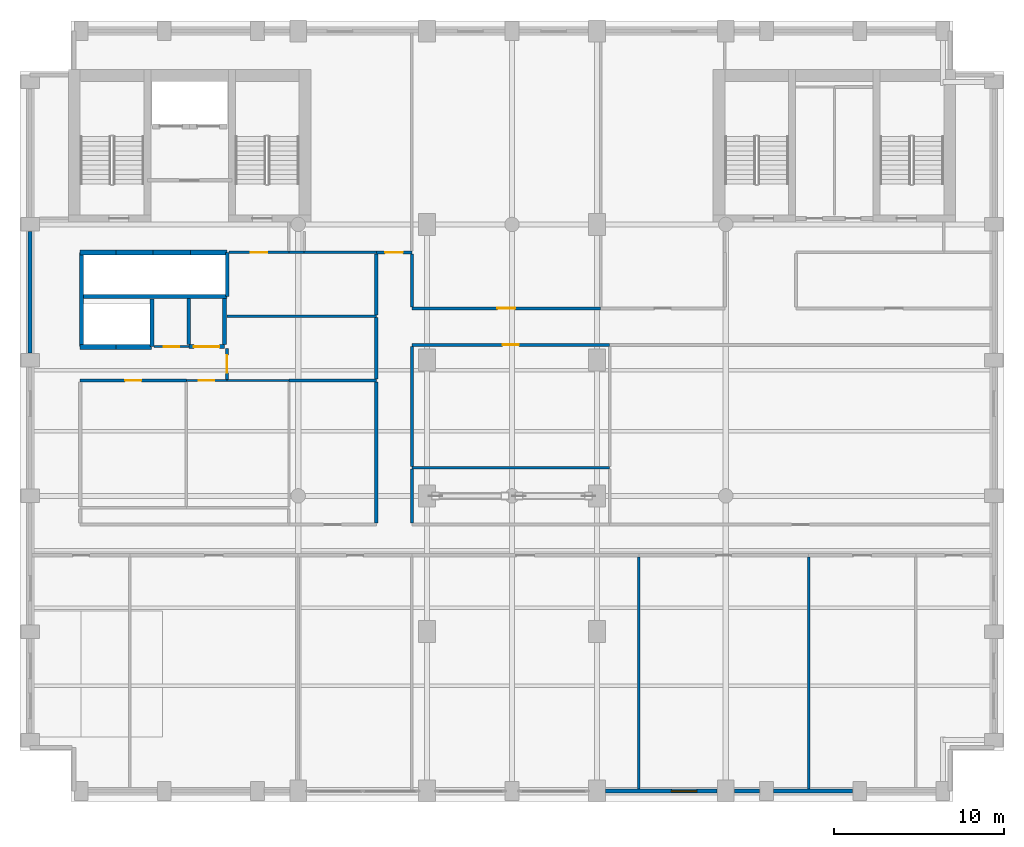
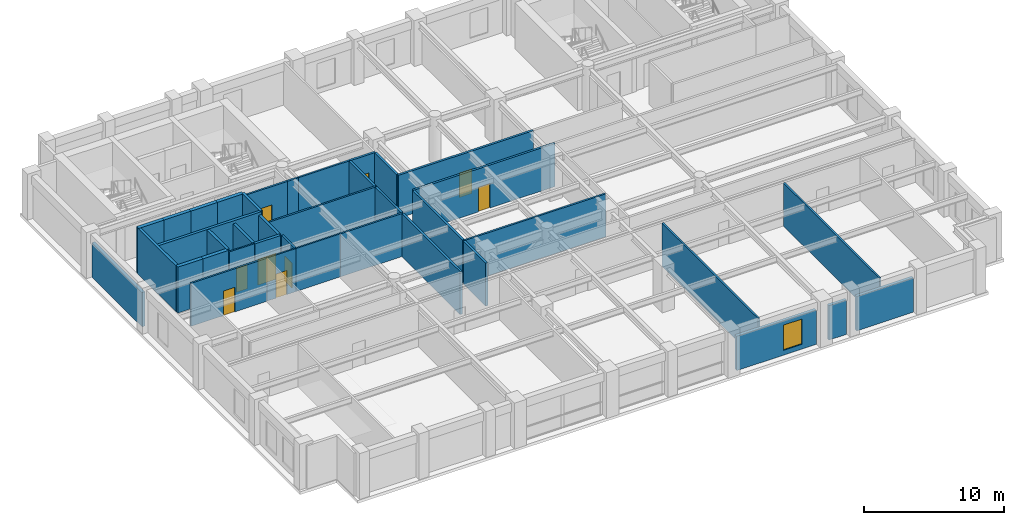
# One storey, part 7 of 13: 39 walls, 9 doors, 1 window, 10 openings.
"""IFC4 building model written with IfcOpenShell, lengths in metres."""

from ifc_helpers import new_model, si_unit, direction, frame, frame_2d, origin, place, context, subcontext, project, spatial, rectangle, extrude, material, layer, layer_set, type_object, element, fill, save


model = new_model("IFC4")

# Units and contexts
model_context = context("Model", 3, precision=1e-05, world=origin(), true_north=direction((0.0, 1.0)))
body_context = subcontext(model_context, "Body", "Model", "MODEL_VIEW")
ifc_project = project(units=[si_unit("LENGTHUNIT", "METRE"), si_unit("AREAUNIT", "SQUARE_METRE"), si_unit("VOLUMEUNIT", "CUBIC_METRE"), si_unit("PLANEANGLEUNIT", "RADIAN"), si_unit("MASSUNIT", "GRAM", prefix="KILO")], contexts=[model_context])

# Site, building, storey
site_placement = place(None, origin())
site = spatial("IfcSite", under=ifc_project, at=site_placement, CompositionType="ELEMENT")
building_placement = place(site_placement, origin())
building = spatial("IfcBuilding", under=site, at=building_placement, Name="Sulina Concourse Tower", CompositionType="ELEMENT")
storey_placement = place(building_placement, frame((0.0, 0.0, 202.60009765625)))
storey = spatial("IfcBuildingStorey", under=building, at=storey_placement, Name="L49", CompositionType="ELEMENT", Elevation=202.60009765625)

# Walls
ifc_material_1 = material(Name="Concrete C50/60", Category="concrete")
ifc_layer_1 = layer(ifc_material_1, 0.219970703125)
ifc_layer_set_1 = layer_set([ifc_layer_1], Name="Concrete C50/60")
wall_type_1 = type_object("IfcWallType", Name="Core Lift Hoistway Divider Wall 220mm", PredefinedType="SOLIDWALL", material=ifc_layer_set_1)
wall_1_placement = place(storey_placement, frame((3.550048828125, 29.75, 0.0), z_axis=(0.0, 0.0, 1.0), x_axis=(1.0, 0.0, 0.0)))
element("IfcWall", 1, at=wall_1_placement, inside=storey, type_object=wall_type_1, Name="L49 shaft divider wall HW-LP3-S", PredefinedType="SOLIDWALL", context=body_context, shape_type="SweptSolid", body=[
    extrude(rectangle(XDim=8.64990234375, YDim=0.219970703125, at=frame_2d((4.324951171875, 0.0))), origin(), (0.0, 0.0, 1.0), 4.0),
])
wall_2_placement = place(storey_placement, frame((3.6298828125, 26.800048828125, 0.0), z_axis=(0.0, 0.0, 1.0), x_axis=(0.0, 1.0, 0.0)))
element("IfcWall", 2, at=wall_2_placement, inside=storey, type_object=wall_type_1, Name="L49 shaft divider wall HW-LP3-W", PredefinedType="SOLIDWALL", context=body_context, shape_type="SweptSolid", body=[
    extrude(rectangle(XDim=5.550048828125, YDim=0.219970703125, at=frame_2d((2.77490234375, 0.0))), origin(), (0.0, 0.0, 1.0), 4.0),
])
wall_3_placement = place(storey_placement, frame((7.780029296875, 26.800048828125, 0.0), z_axis=(0.0, 0.0, 1.0), x_axis=(0.0, 1.0, 0.0)))
element("IfcWall", 3, at=wall_3_placement, inside=storey, type_object=wall_type_1, Name="L49 shaft divider wall HW-EXP-E", PredefinedType="SOLIDWALL", context=body_context, shape_type="SweptSolid", body=[
    extrude(rectangle(XDim=2.800048828125, YDim=0.219970703125, at=frame_2d((1.39990234375, 0.0))), origin(), (0.0, 0.0, 1.0), 4.0),
])
wall_4_placement = place(storey_placement, frame((12.219970703125, 29.75, 0.0), z_axis=(0.0, 0.0, 1.0), x_axis=(0.0, 1.0, 0.0)))
element("IfcWall", 4, at=wall_4_placement, inside=storey, type_object=wall_type_1, Name="L49 shaft divider wall HW-LP3-E", PredefinedType="SOLIDWALL", context=body_context, shape_type="SweptSolid", body=[
    extrude(rectangle(XDim=2.60009765625, YDim=0.219970703125, at=frame_2d((1.300048828125, 0.0))), origin(), (0.0, 0.0, 1.0), 4.0),
])
ifc_material_2 = material(Name="Concrete C50/60", Category="concrete")
ifc_layer_2 = layer(ifc_material_2, 0.300048828125)
ifc_layer_set_2 = layer_set([ifc_layer_2], Name="Concrete C50/60")
wall_type_2 = type_object("IfcWallType", Name="Core Lift Hoistway Wall 300mm", PredefinedType="SOLIDWALL", material=ifc_layer_set_2)
wall_5_placement = place(storey_placement, frame((3.550048828125, 32.35009765625, 0.0), z_axis=(0.0, 0.0, 1.0), x_axis=(1.0, 0.0, 0.0)))
element("IfcWall", 5, at=wall_5_placement, inside=storey, type_object=wall_type_2, Name="L49 hoistway enclosure wall LP-09", PredefinedType="SOLIDWALL", context=body_context, shape_type="SweptSolid", body=[
    extrude(rectangle(XDim=2.099853515625, YDim=0.300048828125, at=frame_2d((1.0498046875, 0.0))), origin(), (0.0, 0.0, 1.0), 4.0),
])
wall_6_placement = place(storey_placement, frame((5.64990234375, 32.35009765625, 0.0), z_axis=(0.0, 0.0, 1.0), x_axis=(1.0, 0.0, 0.0)))
element("IfcWall", 6, at=wall_6_placement, inside=storey, type_object=wall_type_2, Name="L49 hoistway enclosure wall LP-10", PredefinedType="SOLIDWALL", context=body_context, shape_type="SweptSolid", body=[
    extrude(rectangle(XDim=2.2001953125, YDim=0.300048828125, at=frame_2d((1.10009765625, 0.0))), origin(), (0.0, 0.0, 1.0), 4.0),
])
wall_7_placement = place(storey_placement, frame((7.85009765625, 32.35009765625, 0.0), z_axis=(0.0, 0.0, 1.0), x_axis=(1.0, 0.0, 0.0)))
element("IfcWall", 7, at=wall_7_placement, inside=storey, type_object=wall_type_2, Name="L49 hoistway enclosure wall LP-11", PredefinedType="SOLIDWALL", context=body_context, shape_type="SweptSolid", body=[
    extrude(rectangle(XDim=2.199951171875, YDim=0.300048828125, at=frame_2d((1.10009765625, 0.0))), origin(), (0.0, 0.0, 1.0), 4.0),
])
wall_8_placement = place(storey_placement, frame((10.050048828125, 32.35009765625, 0.0), z_axis=(0.0, 0.0, 1.0), x_axis=(1.0, 0.0, 0.0)))
element("IfcWall", 8, at=wall_8_placement, inside=storey, type_object=wall_type_2, Name="L49 hoistway enclosure wall LP-12", PredefinedType="SOLIDWALL", context=body_context, shape_type="SweptSolid", body=[
    extrude(rectangle(XDim=2.14990234375, YDim=0.300048828125, at=frame_2d((1.074951171875, 0.0))), origin(), (0.0, 0.0, 1.0), 4.0),
])
wall_9_placement = place(storey_placement, frame((5.64990234375, 26.780029296875, 0.0), z_axis=(0.0, 0.0, 1.0), x_axis=(-1.0, 0.0, 0.0)))
element("IfcWall", 9, at=wall_9_placement, inside=storey, type_object=wall_type_2, Name="L49 hoistway enclosure wall EXP-1", PredefinedType="SOLIDWALL", context=body_context, shape_type="SweptSolid", body=[
    extrude(rectangle(XDim=2.099853515625, YDim=0.300048828125, at=frame_2d((1.0498046875, 0.0))), origin(), (0.0, 0.0, 1.0), 4.0),
])
wall_10_placement = place(storey_placement, frame((7.75, 26.780029296875, 0.0), z_axis=(0.0, 0.0, 1.0), x_axis=(-1.0, 0.0, 0.0)))
element("IfcWall", 10, at=wall_10_placement, inside=storey, type_object=wall_type_2, Name="L49 hoistway enclosure wall EXP-2", PredefinedType="SOLIDWALL", context=body_context, shape_type="SweptSolid", body=[
    extrude(rectangle(XDim=2.10009765625, YDim=0.300048828125, at=frame_2d((1.050048828125, 0.0))), origin(), (0.0, 0.0, 1.0), 4.0),
])

# Wall, opening, window
ifc_material_3 = material(Name="Precast concrete C50/60", Category="concrete")
ifc_layer_3 = layer(ifc_material_3, 0.239990234375)
ifc_layer_set_3 = layer_set([ifc_layer_3], Name="Precast concrete C50/60")
wall_type_3 = type_object("IfcWallType", Name="Crown Precast Masonry-Frame Facade Wall 240mm", PredefinedType="SOLIDWALL", material=ifc_layer_set_3)
wall_11_placement = place(storey_placement, frame((41.080078125, 0.60009765625, 0.0), z_axis=(0.0, 0.0, 1.0), x_axis=(-1.0, 0.0, 0.0)))
wall_11 = element("IfcWall", 11, at=wall_11_placement, inside=storey, type_object=wall_type_3, Name="L49 exterior precast wall S7", PredefinedType="SOLIDWALL", context=body_context, shape_type="SweptSolid", body=[
    extrude(rectangle(XDim=6.56005859375, YDim=0.239990234375, at=frame_2d((3.280029296875, 0.0))), origin(), (0.0, 0.0, 1.0), 3.0),
])
opening_1_placement = place(wall_11_placement, frame((1.186767578125, 0.0, 0.419921875)))
opening_1 = element("IfcOpeningElement", 12, at=opening_1_placement, cuts=wall_11, Name="Opening WN-71", PredefinedType="OPENING", context=body_context, shape_type="SweptSolid", body=[
    extrude(rectangle(XDim=1.5, YDim=2.199951171875, at=frame_2d((0.75, 1.10009765625))), frame((0.0, 0.1298828125, 0.0), z_axis=(0.0, -1.0, 0.0), x_axis=(1.0, 0.0, 0.0)), (0.0, 0.0, 1.0), 0.260009765625),
])
ifc_material_4 = material(Name="Low-E solar double glazing in bronze aluminium", Category="aluminium")
window_type = type_object("IfcWindowType", Name="Punched Masonry-Frame Window 1500x2200", PartitioningType="SINGLE_PANEL", PredefinedType="WINDOW", material=ifc_material_4)
window_placement = place(opening_1_placement, origin())
window = element("IfcWindow", 13, at=window_placement, inside=storey, type_object=window_type, Name="L49 punched window S7-1", OverallHeight=2.199951171875, OverallWidth=1.5, PartitioningType="SINGLE_PANEL", PredefinedType="WINDOW", context=body_context, shape_type="SweptSolid", body=[
    extrude(rectangle(XDim=1.5, YDim=2.199951171875, at=frame_2d((0.75, 1.10009765625))), frame((0.0, 0.030029296875, 0.0), z_axis=(0.0, -1.0, 0.0), x_axis=(1.0, 0.0, 0.0)), (0.0, 0.0, 1.0), 0.06005859375),
])
fill(opening_1, window)

# Walls
wall_12_placement = place(storey_placement, frame((43.580078125, 0.60009765625, 0.0), z_axis=(0.0, 0.0, 1.0), x_axis=(-1.0, 0.0, 0.0)))
element("IfcWall", 14, at=wall_12_placement, inside=storey, type_object=wall_type_3, Name="L49 exterior precast wall S8", PredefinedType="SOLIDWALL", context=body_context, shape_type="SweptSolid", body=[
    extrude(rectangle(XDim=1.4599609375, YDim=0.239990234375, at=frame_2d((0.72998046875, 0.0))), origin(), (0.0, 0.0, 1.0), 3.0),
])
wall_13_placement = place(storey_placement, frame((49.080078125, 0.60009765625, 0.0), z_axis=(0.0, 0.0, 1.0), x_axis=(-1.0, 0.0, 0.0)))
element("IfcWall", 15, at=wall_13_placement, inside=storey, type_object=wall_type_3, Name="L49 exterior precast wall S9", PredefinedType="SOLIDWALL", context=body_context, shape_type="SweptSolid", body=[
    extrude(rectangle(XDim=4.66015625, YDim=0.239990234375, at=frame_2d((2.330078125, 0.0))), origin(), (0.0, 0.0, 1.0), 3.0),
])
wall_14_placement = place(storey_placement, frame((0.60009765625, 26.419921875, 0.0), z_axis=(0.0, 0.0, 1.0), x_axis=(0.0, 1.0, 0.0)))
element("IfcWall", 16, at=wall_14_placement, inside=storey, type_object=wall_type_3, Name="L49 exterior precast wall W4", PredefinedType="SOLIDWALL", context=body_context, shape_type="SweptSolid", body=[
    extrude(rectangle(XDim=7.16015625, YDim=0.239990234375, at=frame_2d((3.580078125, 0.0))), origin(), (0.0, 0.0, 1.0), 3.0),
])

# Wall, opening, door
ifc_material_5 = material(Name="Gypsum board on steel stud", Category="steel")
ifc_layer_4 = layer(ifc_material_5, 0.219970703125)
ifc_layer_set_4 = layer_set([ifc_layer_4], Name="Gypsum board on steel stud")
wall_type_4 = type_object("IfcWallType", Name="Fire-Rated Lobby & Compartment Wall 220mm", PredefinedType="PARTITIONING", material=ifc_layer_set_4)
wall_15_placement = place(storey_placement, frame((9.949951171875, 26.800048828125, 0.0), z_axis=(0.0, 0.0, 1.0), x_axis=(1.0, 0.0, 0.0)))
wall_15 = element("IfcWall", 17, at=wall_15_placement, inside=storey, type_object=wall_type_4, Name="L49 interior partition 020", PredefinedType="PARTITIONING", context=body_context, shape_type="SweptSolid", body=[
    extrude(rectangle(XDim=2.10009765625, YDim=0.219970703125, at=frame_2d((1.050048828125, 0.0))), origin(), (0.0, 0.0, 1.0), 3.75),
])
opening_2_placement = place(wall_15_placement, frame((0.300048828125, 0.0, 0.0)))
opening_2 = element("IfcOpeningElement", 18, at=opening_2_placement, cuts=wall_15, Name="Opening DR-80", PredefinedType="OPENING", context=body_context, shape_type="SweptSolid", body=[
    extrude(rectangle(XDim=1.5, YDim=2.25, at=frame_2d((0.75, 1.125))), frame((0.0, 0.119873046875, 0.0), z_axis=(0.0, -1.0, 0.0), x_axis=(1.0, 0.0, 0.0)), (0.0, 0.0, 1.0), 0.239990234375),
])
ifc_material_6 = material(Name="Galvanised steel acoustic fire leaf", Category="steel")
ifc_layer_5 = layer(ifc_material_6, 0.054931640625)
ifc_layer_set_5 = layer_set([ifc_layer_5], Name="Galvanised steel acoustic fire leaf")
door_type_1 = type_object("IfcDoorType", Name="Mechanical Plant Double Fire Door 1500x2250", OperationType="DOUBLE_DOOR_SINGLE_SWING", PredefinedType="DOOR", material=ifc_layer_set_5)
door_1_placement = place(opening_2_placement, origin())
door_1 = element("IfcDoor", 19, at=door_1_placement, inside=storey, type_object=door_type_1, Name="L49 interior door L49-IT-IDF", OperationType="DOUBLE_DOOR_SINGLE_SWING", OverallHeight=2.25, OverallWidth=1.5, PredefinedType="DOOR", context=body_context, shape_type="SweptSolid", body=[
    extrude(rectangle(XDim=1.5, YDim=2.25, at=frame_2d((0.75, 1.125))), frame((0.0, 0.02490234375, 0.0), z_axis=(0.0, -1.0, 0.0), x_axis=(1.0, 0.0, 0.0)), (0.0, 0.0, 1.0), 0.050048828125),
])
fill(opening_2, door_1)

# Walls
for number, where, z_axis, x_axis, name in (
    (20, (9.949951171875, 26.909912109375, 0.0), (0.0, 0.0, 1.0), (0.0, 1.0, 0.0), "L49 interior partition 040"),
    (21, (12.050048828125, 26.909912109375, 0.0), (0.0, 0.0, 1.0), (0.0, 1.0, 0.0), "L49 interior partition 041"),
):
    element("IfcWall", number, at=place(storey_placement, frame(where, z_axis=z_axis, x_axis=x_axis)), inside=storey, type_object=wall_type_4, Name=name, PredefinedType="PARTITIONING", context=body_context, shape_type="SweptSolid", body=[
        extrude(rectangle(XDim=2.72998046875, YDim=0.219970703125, at=frame_2d((1.364990234375, 0.0))), origin(), (0.0, 0.0, 1.0), 3.75),
    ])
ifc_material_7 = material(Name="Gypsum board on steel stud", Category="steel")
ifc_layer_6 = layer(ifc_material_7, 0.14990234375)
ifc_layer_set_6 = layer_set([ifc_layer_6], Name="Gypsum board on steel stud")
wall_type_5 = type_object("IfcWallType", Name="Inter-Tenancy Acoustic Partition 150mm", PredefinedType="PARTITIONING", material=ifc_layer_set_6)
wall_16_placement = place(storey_placement, frame((23.10009765625, 19.64990234375, 0.0), z_axis=(0.0, 0.0, 1.0), x_axis=(1.0, 0.0, 0.0)))
element("IfcWall", 22, at=wall_16_placement, inside=storey, type_object=wall_type_5, Name="L49 interior partition 014", PredefinedType="PARTITIONING", context=body_context, shape_type="SweptSolid", body=[
    extrude(rectangle(XDim=11.64990234375, YDim=0.14990234375, at=frame_2d((5.824951171875, 0.0))), origin(), (0.0, 0.0, 1.0), 3.75),
])

# Wall, opening, door
wall_17_placement = place(storey_placement, frame((3.550048828125, 24.800048828125, 0.0), z_axis=(0.0, 0.0, 1.0), x_axis=(1.0, 0.0, 0.0)))
wall_17 = element("IfcWall", 23, at=wall_17_placement, inside=storey, type_object=wall_type_5, Name="L49 interior partition 015", PredefinedType="PARTITIONING", context=body_context, shape_type="SweptSolid", body=[
    extrude(rectangle(XDim=6.25, YDim=0.14990234375, at=frame_2d((3.125, 0.0))), origin(), (0.0, 0.0, 1.0), 3.75),
])
opening_3_placement = place(wall_17_placement, frame((2.64990234375, 0.0, 0.0)))
opening_3 = element("IfcOpeningElement", 24, at=opening_3_placement, cuts=wall_17, Name="Opening DR-19", PredefinedType="OPENING", context=body_context, shape_type="SweptSolid", body=[
    extrude(rectangle(XDim=0.949951171875, YDim=2.14990234375, at=frame_2d((0.47509765625, 1.074951171875))), frame((0.0, 0.0849609375, 0.0), z_axis=(0.0, -1.0, 0.0), x_axis=(1.0, 0.0, 0.0)), (0.0, 0.0, 1.0), 0.169921875),
])
ifc_material_8 = material(Name="Oak-veneered acoustic timber leaf", Category="wood")
ifc_layer_7 = layer(ifc_material_8, 0.050048828125)
ifc_layer_set_7 = layer_set([ifc_layer_7], Name="Oak-veneered acoustic timber leaf")
door_type_2 = type_object("IfcDoorType", Name="Cellular Office & Meeting Door 950x2150", OperationType="NOTDEFINED", PredefinedType="DOOR", material=ifc_layer_set_7)
door_2_placement = place(opening_3_placement, origin())
door_2 = element("IfcDoor", 25, at=door_2_placement, inside=storey, type_object=door_type_2, Name="L49 interior door L49-LR-MRG1", OperationType="SINGLE_SWING_LEFT", OverallHeight=2.14990234375, OverallWidth=0.949951171875, PredefinedType="DOOR", context=body_context, shape_type="SweptSolid", body=[
    extrude(rectangle(XDim=0.949951171875, YDim=2.14990234375, at=frame_2d((0.47509765625, 1.074951171875))), frame((0.0, 0.02490234375, 0.0), z_axis=(0.0, -1.0, 0.0), x_axis=(1.0, 0.0, 0.0)), (0.0, 0.0, 1.0), 0.050048828125),
])
fill(opening_3, door_2)

# Walls
wall_18_placement = place(storey_placement, frame((15.85009765625, 24.800048828125, 0.0), z_axis=(0.0, 0.0, 1.0), x_axis=(1.0, 0.0, 0.0)))
element("IfcWall", 26, at=wall_18_placement, inside=storey, type_object=wall_type_5, Name="L49 interior partition 018", PredefinedType="PARTITIONING", context=body_context, shape_type="SweptSolid", body=[
    extrude(rectangle(XDim=5.14990234375, YDim=0.14990234375, at=frame_2d((2.574951171875, 0.0))), origin(), (0.0, 0.0, 1.0), 3.75),
])
wall_19_placement = place(storey_placement, frame((12.199951171875, 28.60009765625, 0.0), z_axis=(0.0, 0.0, 1.0), x_axis=(1.0, 0.0, 0.0)))
element("IfcWall", 27, at=wall_19_placement, inside=storey, type_object=wall_type_5, Name="L49 interior partition 023", PredefinedType="PARTITIONING", context=body_context, shape_type="SweptSolid", body=[
    extrude(rectangle(XDim=8.800048828125, YDim=0.14990234375, at=frame_2d((4.39990234375, 0.0))), origin(), (0.0, 0.0, 1.0), 3.75),
])

# Wall, opening, door
wall_20_placement = place(storey_placement, frame((12.330078125, 32.35009765625, 0.0), z_axis=(0.0, 0.0, 1.0), x_axis=(1.0, 0.0, 0.0)))
wall_20 = element("IfcWall", 28, at=wall_20_placement, inside=storey, type_object=wall_type_5, Name="L49 interior partition 027", PredefinedType="PARTITIONING", context=body_context, shape_type="SweptSolid", body=[
    extrude(rectangle(XDim=3.52001953125, YDim=0.14990234375, at=frame_2d((1.760009765625, 0.0))), origin(), (0.0, 0.0, 1.0), 3.75),
])
opening_4_placement = place(wall_20_placement, frame((1.284912109375, 0.0, 0.0)))
opening_4 = element("IfcOpeningElement", 29, at=opening_4_placement, cuts=wall_20, Name="Opening DR-19", PredefinedType="OPENING", context=body_context, shape_type="SweptSolid", body=[
    extrude(rectangle(XDim=0.949951171875, YDim=2.14990234375, at=frame_2d((0.47509765625, 1.074951171875))), frame((0.0, 0.0849609375, 0.0), z_axis=(0.0, -1.0, 0.0), x_axis=(1.0, 0.0, 0.0)), (0.0, 0.0, 1.0), 0.169921875),
])
door_3_placement = place(opening_4_placement, origin())
door_3 = element("IfcDoor", 30, at=door_3_placement, inside=storey, type_object=door_type_2, Name="L49 interior door L49-MR-MRG2", OperationType="SINGLE_SWING_RIGHT", OverallHeight=2.14990234375, OverallWidth=0.949951171875, PredefinedType="DOOR", context=body_context, shape_type="SweptSolid", body=[
    extrude(rectangle(XDim=0.949951171875, YDim=2.14990234375, at=frame_2d((0.47509765625, 1.074951171875))), frame((0.0, 0.02490234375, 0.0), z_axis=(0.0, -1.0, 0.0), x_axis=(1.0, 0.0, 0.0)), (0.0, 0.0, 1.0), 0.050048828125),
])
fill(opening_4, door_3)

# Walls
wall_21_placement = place(storey_placement, frame((15.85009765625, 32.35009765625, 0.0), z_axis=(0.0, 0.0, 1.0), x_axis=(1.0, 0.0, 0.0)))
element("IfcWall", 31, at=wall_21_placement, inside=storey, type_object=wall_type_5, Name="L49 interior partition 028", PredefinedType="PARTITIONING", context=body_context, shape_type="SweptSolid", body=[
    extrude(rectangle(XDim=0.89990234375, YDim=0.14990234375, at=frame_2d((0.449951171875, 0.0))), origin(), (0.0, 0.0, 1.0), 3.75),
])
wall_22_placement = place(storey_placement, frame((16.75, 32.35009765625, 0.0), z_axis=(0.0, 0.0, 1.0), x_axis=(1.0, 0.0, 0.0)))
element("IfcWall", 32, at=wall_22_placement, inside=storey, type_object=wall_type_5, Name="L49 interior partition 029", PredefinedType="PARTITIONING", context=body_context, shape_type="SweptSolid", body=[
    extrude(rectangle(XDim=4.25, YDim=0.14990234375, at=frame_2d((2.125, 0.0))), origin(), (0.0, 0.0, 1.0), 3.75),
])

# Wall, opening, door
wall_23_placement = place(storey_placement, frame((12.199951171875, 24.862548828125, 0.0), z_axis=(0.0, 0.0, 1.0), x_axis=(0.0, 1.0, 0.0)))
wall_23 = element("IfcWall", 33, at=wall_23_placement, inside=storey, type_object=wall_type_5, Name="L49 interior partition 042", PredefinedType="PARTITIONING", context=body_context, shape_type="SweptSolid", body=[
    extrude(rectangle(XDim=1.827392578125, YDim=0.14990234375, at=frame_2d((0.91357421875, 0.0))), origin(), (0.0, 0.0, 1.0), 3.75),
])
opening_5_placement = place(wall_23_placement, frame((0.388916015625, 0.0, 0.0)))
opening_5 = element("IfcOpeningElement", 34, at=opening_5_placement, cuts=wall_23, Name="Opening DR-37", PredefinedType="OPENING", context=body_context, shape_type="SweptSolid", body=[
    extrude(rectangle(XDim=1.050048828125, YDim=2.14990234375, at=frame_2d((0.52490234375, 1.074951171875))), frame((0.0, 0.0849609375, 0.0), z_axis=(0.0, -1.0, 0.0), x_axis=(1.0, 0.0, 0.0)), (0.0, 0.0, 1.0), 0.169921875),
])
ifc_material_9 = material(Name="Oak-veneered fire door leaf")
ifc_layer_8 = layer(ifc_material_9, 0.050048828125)
ifc_layer_set_8 = layer_set([ifc_layer_8], Name="Oak-veneered fire door leaf")
door_type_3 = type_object("IfcDoorType", Name="Tenant Suite Entrance Fire Door 1050x2150", OperationType="NOTDEFINED", PredefinedType="DOOR", material=ifc_layer_set_8)
door_4_placement = place(opening_5_placement, origin())
door_4 = element("IfcDoor", 35, at=door_4_placement, inside=storey, type_object=door_type_3, Name="L49 interior door L49-MR-MRG1", OperationType="SINGLE_SWING_RIGHT", OverallHeight=2.14990234375, OverallWidth=1.050048828125, PredefinedType="DOOR", context=body_context, shape_type="SweptSolid", body=[
    extrude(rectangle(XDim=1.050048828125, YDim=2.14990234375, at=frame_2d((0.52490234375, 1.074951171875))), frame((0.0, 0.02490234375, 0.0), z_axis=(0.0, -1.0, 0.0), x_axis=(1.0, 0.0, 0.0)), (0.0, 0.0, 1.0), 0.050048828125),
])
fill(opening_5, door_4)

# Walls
for number, where, z_axis, x_axis, name in (
    (36, (36.47998046875, 0.719970703125, 0.0), (0.0, 0.0, 1.0), (0.0, 1.0, 0.0), "L49 interior partition 060"),
    (37, (46.47998046875, 0.719970703125, 0.0), (0.0, 0.0, 1.0), (0.0, 1.0, 0.0), "L49 interior partition 065"),
):
    element("IfcWall", number, at=place(storey_placement, frame(where, z_axis=z_axis, x_axis=x_axis)), inside=storey, type_object=wall_type_5, Name=name, PredefinedType="PARTITIONING", context=body_context, shape_type="SweptSolid", body=[
        extrude(rectangle(XDim=13.68994140625, YDim=0.14990234375, at=frame_2d((6.844970703125, 0.0))), origin(), (0.0, 0.0, 1.0), 3.75),
    ])

# Wall, opening, door
ifc_material_10 = material(Name="Gypsum board on steel stud", Category="steel")
ifc_layer_9 = layer(ifc_material_10, 0.179931640625)
ifc_layer_set_9 = layer_set([ifc_layer_9], Name="Gypsum board on steel stud")
wall_type_6 = type_object("IfcWallType", Name="Protected Corridor & Riser Partition 180mm", PredefinedType="PARTITIONING", material=ifc_layer_set_9)
wall_24_placement = place(storey_placement, frame((23.10009765625, 26.89990234375, 0.0), z_axis=(0.0, 0.0, 1.0), x_axis=(1.0, 0.0, 0.0)))
wall_24 = element("IfcWall", 38, at=wall_24_placement, inside=storey, type_object=wall_type_6, Name="L49 interior partition 021", PredefinedType="PARTITIONING", context=body_context, shape_type="SweptSolid", body=[
    extrude(rectangle(XDim=11.64990234375, YDim=0.179931640625, at=frame_2d((5.824951171875, 0.0))), origin(), (0.0, 0.0, 1.0), 3.75),
])
opening_6_placement = place(wall_24_placement, frame((5.35009765625, 0.0, 0.0)))
opening_6 = element("IfcOpeningElement", 39, at=opening_6_placement, cuts=wall_24, Name="Opening DR-19", PredefinedType="OPENING", context=body_context, shape_type="SweptSolid", body=[
    extrude(rectangle(XDim=0.949951171875, YDim=2.14990234375, at=frame_2d((0.47509765625, 1.074951171875))), frame((0.0, 0.099853515625, 0.0), z_axis=(0.0, -1.0, 0.0), x_axis=(1.0, 0.0, 0.0)), (0.0, 0.0, 1.0), 0.199951171875),
])
door_5_placement = place(opening_6_placement, origin())
door_5 = element("IfcDoor", 40, at=door_5_placement, inside=storey, type_object=door_type_2, Name="L49 interior door L49-UBT-NRM", OperationType="SINGLE_SWING_RIGHT", OverallHeight=2.14990234375, OverallWidth=0.949951171875, PredefinedType="DOOR", context=body_context, shape_type="SweptSolid", body=[
    extrude(rectangle(XDim=0.949951171875, YDim=2.14990234375, at=frame_2d((0.47509765625, 1.074951171875))), frame((0.0, 0.02490234375, 0.0), z_axis=(0.0, -1.0, 0.0), x_axis=(1.0, 0.0, 0.0)), (0.0, 0.0, 1.0), 0.050048828125),
])
fill(opening_6, door_5)

wall_25_placement = place(storey_placement, frame((23.10009765625, 29.050048828125, 0.0), z_axis=(0.0, 0.0, 1.0), x_axis=(1.0, 0.0, 0.0)))
wall_25 = element("IfcWall", 41, at=wall_25_placement, inside=storey, type_object=wall_type_6, Name="L49 interior partition 024", PredefinedType="PARTITIONING", context=body_context, shape_type="SweptSolid", body=[
    extrude(rectangle(XDim=11.119873046875, YDim=0.179931640625, at=frame_2d((5.56005859375, 0.0))), origin(), (0.0, 0.0, 1.0), 3.75),
])
opening_7_placement = place(wall_25_placement, frame((5.034912109375, 0.0, 0.0)))
opening_7 = element("IfcOpeningElement", 42, at=opening_7_placement, cuts=wall_25, Name="Opening DR-37", PredefinedType="OPENING", context=body_context, shape_type="SweptSolid", body=[
    extrude(rectangle(XDim=1.050048828125, YDim=2.14990234375, at=frame_2d((0.52490234375, 1.074951171875))), frame((0.0, 0.099853515625, 0.0), z_axis=(0.0, -1.0, 0.0), x_axis=(1.0, 0.0, 0.0)), (0.0, 0.0, 1.0), 0.199951171875),
])
door_6_placement = place(opening_7_placement, origin())
door_6 = element("IfcDoor", 43, at=door_6_placement, inside=storey, type_object=door_type_3, Name="L49 interior door L49-NC1", OperationType="SINGLE_SWING_LEFT", OverallHeight=2.14990234375, OverallWidth=1.050048828125, PredefinedType="DOOR", context=body_context, shape_type="SweptSolid", body=[
    extrude(rectangle(XDim=1.050048828125, YDim=2.14990234375, at=frame_2d((0.52490234375, 1.074951171875))), frame((0.0, 0.02490234375, 0.0), z_axis=(0.0, -1.0, 0.0), x_axis=(1.0, 0.0, 0.0)), (0.0, 0.0, 1.0), 0.050048828125),
])
fill(opening_7, door_6)

wall_26_placement = place(storey_placement, frame((21.0, 32.35009765625, 0.0), z_axis=(0.0, 0.0, 1.0), x_axis=(1.0, 0.0, 0.0)))
wall_26 = element("IfcWall", 44, at=wall_26_placement, inside=storey, type_object=wall_type_6, Name="L49 interior partition 030", PredefinedType="PARTITIONING", context=body_context, shape_type="SweptSolid", body=[
    extrude(rectangle(XDim=2.10009765625, YDim=0.179931640625, at=frame_2d((1.050048828125, 0.0))), origin(), (0.0, 0.0, 1.0), 3.75),
])
opening_8_placement = place(wall_26_placement, frame((0.52490234375, 0.0, 0.0)))
opening_8 = element("IfcOpeningElement", 45, at=opening_8_placement, cuts=wall_26, Name="Opening DR-37", PredefinedType="OPENING", context=body_context, shape_type="SweptSolid", body=[
    extrude(rectangle(XDim=1.050048828125, YDim=2.14990234375, at=frame_2d((0.52490234375, 1.074951171875))), frame((0.0, 0.099853515625, 0.0), z_axis=(0.0, -1.0, 0.0), x_axis=(1.0, 0.0, 0.0)), (0.0, 0.0, 1.0), 0.199951171875),
])
door_7_placement = place(opening_8_placement, origin())
door_7 = element("IfcDoor", 46, at=door_7_placement, inside=storey, type_object=door_type_3, Name="L49 interior door L49-NC-NW", OperationType="SINGLE_SWING_LEFT", OverallHeight=2.14990234375, OverallWidth=1.050048828125, PredefinedType="DOOR", context=body_context, shape_type="SweptSolid", body=[
    extrude(rectangle(XDim=1.050048828125, YDim=2.14990234375, at=frame_2d((0.52490234375, 1.074951171875))), frame((0.0, 0.02490234375, 0.0), z_axis=(0.0, -1.0, 0.0), x_axis=(1.0, 0.0, 0.0)), (0.0, 0.0, 1.0), 0.050048828125),
])
fill(opening_8, door_7)

# Walls
wall_27_placement = place(storey_placement, frame((21.0, 16.389892578125, 0.0), z_axis=(0.0, 0.0, 1.0), x_axis=(0.0, 1.0, 0.0)))
element("IfcWall", 47, at=wall_27_placement, inside=storey, type_object=wall_type_6, Name="L49 interior partition 048", PredefinedType="PARTITIONING", context=body_context, shape_type="SweptSolid", body=[
    extrude(rectangle(XDim=8.335205078125, YDim=0.179931640625, at=frame_2d((4.16748046875, 0.0))), origin(), (0.0, 0.0, 1.0), 3.75),
])
wall_28_placement = place(storey_placement, frame((21.0, 24.875, 0.0), z_axis=(0.0, 0.0, 1.0), x_axis=(0.0, 1.0, 0.0)))
element("IfcWall", 48, at=wall_28_placement, inside=storey, type_object=wall_type_6, Name="L49 interior partition 049", PredefinedType="PARTITIONING", context=body_context, shape_type="SweptSolid", body=[
    extrude(rectangle(XDim=3.64990234375, YDim=0.179931640625, at=frame_2d((1.824951171875, 0.0))), origin(), (0.0, 0.0, 1.0), 3.75),
])
wall_29_placement = place(storey_placement, frame((21.0, 28.675048828125, 0.0), z_axis=(0.0, 0.0, 1.0), x_axis=(0.0, 1.0, 0.0)))
element("IfcWall", 49, at=wall_29_placement, inside=storey, type_object=wall_type_6, Name="L49 interior partition 050", PredefinedType="PARTITIONING", context=body_context, shape_type="SweptSolid", body=[
    extrude(rectangle(XDim=3.5849609375, YDim=0.179931640625, at=frame_2d((1.79248046875, 0.0))), origin(), (0.0, 0.0, 1.0), 3.75),
])
wall_30_placement = place(storey_placement, frame((23.10009765625, 16.389892578125, 0.0), z_axis=(0.0, 0.0, 1.0), x_axis=(0.0, 1.0, 0.0)))
element("IfcWall", 50, at=wall_30_placement, inside=storey, type_object=wall_type_6, Name="L49 interior partition 052", PredefinedType="PARTITIONING", context=body_context, shape_type="SweptSolid", body=[
    extrude(rectangle(XDim=3.18505859375, YDim=0.179931640625, at=frame_2d((1.592529296875, 0.0))), origin(), (0.0, 0.0, 1.0), 3.75),
])
wall_31_placement = place(storey_placement, frame((23.10009765625, 19.72509765625, 0.0), z_axis=(0.0, 0.0, 1.0), x_axis=(0.0, 1.0, 0.0)))
element("IfcWall", 51, at=wall_31_placement, inside=storey, type_object=wall_type_6, Name="L49 interior partition 053", PredefinedType="PARTITIONING", context=body_context, shape_type="SweptSolid", body=[
    extrude(rectangle(XDim=7.0849609375, YDim=0.179931640625, at=frame_2d((3.54248046875, 0.0))), origin(), (0.0, 0.0, 1.0), 3.75),
])
wall_32_placement = place(storey_placement, frame((23.10009765625, 29.139892578125, 0.0), z_axis=(0.0, 0.0, 1.0), x_axis=(0.0, 1.0, 0.0)))
element("IfcWall", 52, at=wall_32_placement, inside=storey, type_object=wall_type_6, Name="L49 interior partition 054", PredefinedType="PARTITIONING", context=body_context, shape_type="SweptSolid", body=[
    extrude(rectangle(XDim=3.1201171875, YDim=0.179931640625, at=frame_2d((1.56005859375, 0.0))), origin(), (0.0, 0.0, 1.0), 3.75),
])

# Wall, opening, door
ifc_material_11 = material(Name="Gypsum board on steel stud", Category="steel")
ifc_layer_10 = layer(ifc_material_11, 0.125)
ifc_layer_set_10 = layer_set([ifc_layer_10], Name="Gypsum board on steel stud")
wall_type_7 = type_object("IfcWallType", Name="Wet-Area Moisture-Resistant Partition 125mm", PredefinedType="PARTITIONING", material=ifc_layer_set_10)
wall_33_placement = place(storey_placement, frame((9.800048828125, 24.800048828125, 0.0), z_axis=(0.0, 0.0, 1.0), x_axis=(1.0, 0.0, 0.0)))
wall_33 = element("IfcWall", 53, at=wall_33_placement, inside=storey, type_object=wall_type_7, Name="L49 interior partition 016", PredefinedType="PARTITIONING", context=body_context, shape_type="SweptSolid", body=[
    extrude(rectangle(XDim=2.39990234375, YDim=0.125, at=frame_2d((1.199951171875, 0.0))), origin(), (0.0, 0.0, 1.0), 3.75),
])
opening_9_placement = place(wall_33_placement, frame((0.75, 0.0, 0.0)))
opening_9 = element("IfcOpeningElement", 54, at=opening_9_placement, cuts=wall_33, Name="Opening DR-21", PredefinedType="OPENING", context=body_context, shape_type="SweptSolid", body=[
    extrude(rectangle(XDim=0.89990234375, YDim=2.10009765625, at=frame_2d((0.449951171875, 1.050048828125))), frame((0.0, 0.072509765625, 0.0), z_axis=(0.0, -1.0, 0.0), x_axis=(1.0, 0.0, 0.0)), (0.0, 0.0, 1.0), 0.14501953125),
])
ifc_material_12 = material(Name="Oak-veneered fire door leaf")
ifc_layer_11 = layer(ifc_material_12, 0.050048828125)
ifc_layer_set_11 = layer_set([ifc_layer_11], Name="Oak-veneered fire door leaf")
door_type_4 = type_object("IfcDoorType", Name="Restroom & Service Door 900x2100", OperationType="NOTDEFINED", PredefinedType="DOOR", material=ifc_layer_set_11)
door_8_placement = place(opening_9_placement, origin())
door_8 = element("IfcDoor", 55, at=door_8_placement, inside=storey, type_object=door_type_4, Name="L49 interior door L49-LR-MRG2", OperationType="SINGLE_SWING_RIGHT", OverallHeight=2.10009765625, OverallWidth=0.89990234375, PredefinedType="DOOR", context=body_context, shape_type="SweptSolid", body=[
    extrude(rectangle(XDim=0.89990234375, YDim=2.10009765625, at=frame_2d((0.449951171875, 1.050048828125))), frame((0.0, 0.02490234375, 0.0), z_axis=(0.0, -1.0, 0.0), x_axis=(1.0, 0.0, 0.0)), (0.0, 0.0, 1.0), 0.050048828125),
])
fill(opening_9, door_8)

# Wall
wall_34_placement = place(storey_placement, frame((12.199951171875, 24.800048828125, 0.0), z_axis=(0.0, 0.0, 1.0), x_axis=(1.0, 0.0, 0.0)))
element("IfcWall", 56, at=wall_34_placement, inside=storey, type_object=wall_type_7, Name="L49 interior partition 017", PredefinedType="PARTITIONING", context=body_context, shape_type="SweptSolid", body=[
    extrude(rectangle(XDim=3.650146484375, YDim=0.125, at=frame_2d((1.8251953125, 0.0))), origin(), (0.0, 0.0, 1.0), 3.75),
])

# Wall, opening, door
wall_35_placement = place(storey_placement, frame((7.889892578125, 26.800048828125, 0.0), z_axis=(0.0, 0.0, 1.0), x_axis=(1.0, 0.0, 0.0)))
wall_35 = element("IfcWall", 57, at=wall_35_placement, inside=storey, type_object=wall_type_7, Name="L49 interior partition 019", PredefinedType="PARTITIONING", context=body_context, shape_type="SweptSolid", body=[
    extrude(rectangle(XDim=2.06005859375, YDim=0.125, at=frame_2d((1.030029296875, 0.0))), origin(), (0.0, 0.0, 1.0), 3.75),
])
opening_10_placement = place(wall_35_placement, frame((0.570068359375, 0.0, 0.0)))
opening_10 = element("IfcOpeningElement", 58, at=opening_10_placement, cuts=wall_35, Name="Opening DR-61", PredefinedType="OPENING", context=body_context, shape_type="SweptSolid", body=[
    extrude(rectangle(XDim=0.919921875, YDim=2.10009765625, at=frame_2d((0.4599609375, 1.050048828125))), frame((0.0, 0.072509765625, 0.0), z_axis=(0.0, -1.0, 0.0), x_axis=(1.0, 0.0, 0.0)), (0.0, 0.0, 1.0), 0.14501953125),
])
ifc_material_13 = material(Name="Oak-veneered fire door leaf")
ifc_layer_12 = layer(ifc_material_13, 0.050048828125)
ifc_layer_set_12 = layer_set([ifc_layer_12], Name="Oak-veneered fire door leaf")
door_type_5 = type_object("IfcDoorType", Name="Accessible WC Door 920x2100", OperationType="NOTDEFINED", PredefinedType="DOOR", material=ifc_layer_set_12)
door_9_placement = place(opening_10_placement, origin())
door_9 = element("IfcDoor", 59, at=door_9_placement, inside=storey, type_object=door_type_5, Name="L49 interior door L49-WC-ACC", OperationType="SINGLE_SWING_LEFT", OverallHeight=2.10009765625, OverallWidth=0.919921875, PredefinedType="DOOR", context=body_context, shape_type="SweptSolid", body=[
    extrude(rectangle(XDim=0.919921875, YDim=2.10009765625, at=frame_2d((0.4599609375, 1.050048828125))), frame((0.0, 0.02490234375, 0.0), z_axis=(0.0, -1.0, 0.0), x_axis=(1.0, 0.0, 0.0)), (0.0, 0.0, 1.0), 0.050048828125),
])
fill(opening_10, door_9)

save(model, "model.ifc")
